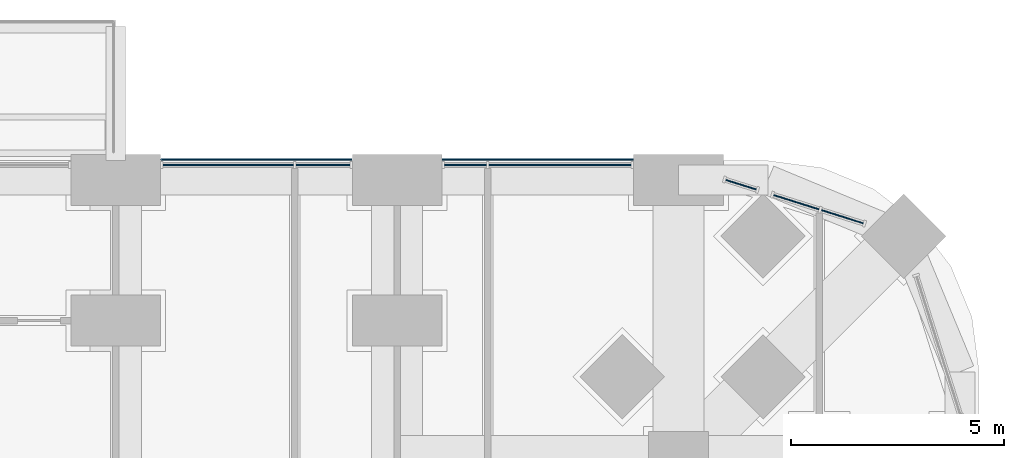
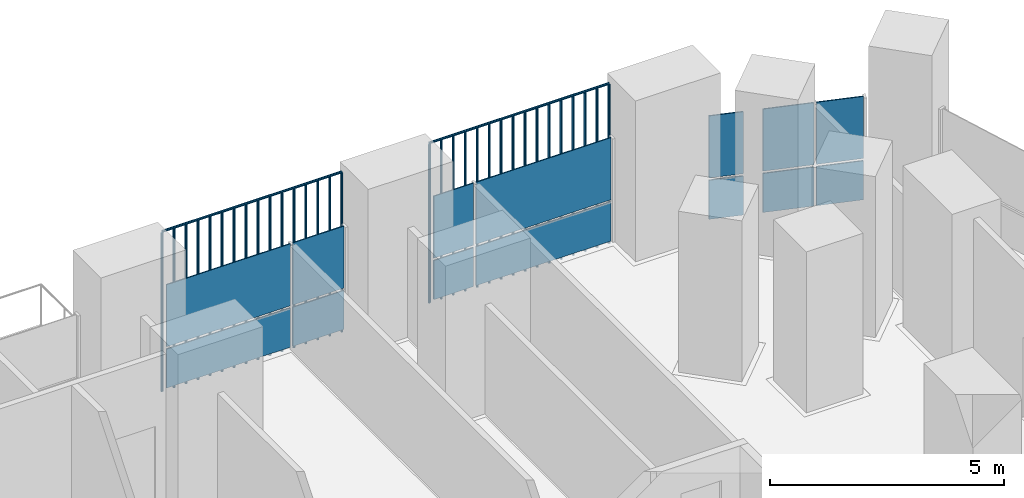
# One storey, part 16 of 26: 16 plates, 4 elements without a shape of their own.
"""IFC4 building model written with IfcOpenShell, lengths in metres."""

from ifc_helpers import new_model, si_unit, direction, frame, origin, origin_2d, place, context, subcontext, project, spatial, polyline, rectangle, outline, extrude, material, layer, layer_set, type_object, element, aggregate, save


model = new_model("IFC4")

# Units and contexts
model_context = context("Model", 3, precision=1e-05, world=origin(), true_north=direction((0.0, 1.0)))
body_context = subcontext(model_context, "Body", "Model", "MODEL_VIEW")
ifc_project = project(units=[si_unit("LENGTHUNIT", "METRE"), si_unit("AREAUNIT", "SQUARE_METRE"), si_unit("VOLUMEUNIT", "CUBIC_METRE"), si_unit("PLANEANGLEUNIT", "RADIAN"), si_unit("MASSUNIT", "GRAM", prefix="KILO")], contexts=[model_context])

# Site, building, storey
site_placement = place(None, origin())
site = spatial("IfcSite", under=ifc_project, at=site_placement, CompositionType="ELEMENT")
building_placement = place(site_placement, origin())
building = spatial("IfcBuilding", under=site, at=building_placement, Name="Cobogo Forest Laboratory Tower", CompositionType="ELEMENT")
storey_placement = place(building_placement, frame((0.0, 0.0, 33.89990234375)))
storey = spatial("IfcBuildingStorey", under=building, at=storey_placement, Name="L07", CompositionType="ELEMENT", Elevation=33.89990234375)

# Curtain wall, plates
ifc_material_1 = material(Name="Aluminium curtain wall", Category="aluminium")
curtain_wall_type = type_object("IfcCurtainWallType", Name="CW-1 unitised curtain wall, clear glazing, laboratory floors zones A and B", PredefinedType="USERDEFINED", material=ifc_material_1)
curtain_wall_1_placement = place(storey_placement, origin())
curtain_wall_1 = element("IfcCurtainWall", 1, at=curtain_wall_1_placement, inside=storey, type_object=curtain_wall_type, Name="Curtain wall 16 L07", ObjectType="UNITISED CURTAIN WALL", PredefinedType="USERDEFINED")
ifc_material_2 = material(Name="Clear insulated glass", Category="glass")
ifc_layer = layer(ifc_material_2, 0.028076171875)
ifc_layer_set = layer_set([ifc_layer], Name="GP-1 clear insulated glass unit 28")
plate_type_1 = type_object("IfcPlateType", Name="GP-1 clear insulated glass unit 28", PredefinedType="CURTAIN_PANEL", material=ifc_layer_set)
plate_1_placement = place(storey_placement, frame((50.042724609375, 45.33642578125, 0.0), z_axis=(0.0, 0.0, 1.0), x_axis=(-0.953581409645, 0.301135343623, 0.0)))
plate_1 = element("IfcPlate", 2, at=plate_1_placement, type_object=plate_type_1, Name="CW-1 panel 1.1", PredefinedType="CURTAIN_PANEL", context=body_context, shape_type="SweptSolid", body=[
    extrude(rectangle(XDim=1.027587890625, YDim=0.028076171875, at=origin_2d()), origin(), (0.0, 0.0, 1.0), 1.02001953125),
])
plate_2_placement = place(storey_placement, frame((50.042724609375, 45.33642578125, 1.080078125), z_axis=(0.0, 0.0, 1.0), x_axis=(-0.953581409645, 0.301135343623, 0.0)))
plate_2 = element("IfcPlate", 3, at=plate_2_placement, type_object=plate_type_1, Name="CW-1 panel 1.2", PredefinedType="CURTAIN_PANEL", context=body_context, shape_type="SweptSolid", body=[
    extrude(rectangle(XDim=1.027587890625, YDim=0.028076171875, at=origin_2d()), origin(), (0.0, 0.0, 1.0), 1.6201171875),
])
plate_3_placement = place(storey_placement, frame((48.963623046875, 45.67724609375, 0.0), z_axis=(0.0, 0.0, 1.0), x_axis=(-0.953581409645, 0.301135343623, 0.0)))
plate_3 = element("IfcPlate", 4, at=plate_3_placement, type_object=plate_type_1, Name="CW-1 panel 2.1", PredefinedType="CURTAIN_PANEL", context=body_context, shape_type="SweptSolid", body=[
    extrude(rectangle(XDim=1.11572265625, YDim=0.028076171875, at=origin_2d()), origin(), (0.0, 0.0, 1.0), 1.02001953125),
])
plate_4_placement = place(storey_placement, frame((48.963623046875, 45.67724609375, 1.080078125), z_axis=(0.0, 0.0, 1.0), x_axis=(-0.953581409645, 0.301135343623, 0.0)))
plate_4 = element("IfcPlate", 5, at=plate_4_placement, type_object=plate_type_1, Name="CW-1 panel 2.2", PredefinedType="CURTAIN_PANEL", context=body_context, shape_type="SweptSolid", body=[
    extrude(rectangle(XDim=1.11572265625, YDim=0.028076171875, at=origin_2d()), origin(), (0.0, 0.0, 1.0), 1.6201171875),
])
aggregate(curtain_wall_1, [plate_1, plate_2, plate_3, plate_4])

curtain_wall_2_placement = place(storey_placement, origin())
curtain_wall_2 = element("IfcCurtainWall", 6, at=curtain_wall_2_placement, inside=storey, type_object=curtain_wall_type, Name="Curtain wall 17 L07", ObjectType="UNITISED CURTAIN WALL", PredefinedType="USERDEFINED")
plate_5_placement = place(storey_placement, frame((47.666015625, 46.087158203125, 0.0), z_axis=(0.0, 0.0, 1.0), x_axis=(-0.953581504428, 0.301135043481, 0.0)))
plate_5 = element("IfcPlate", 7, at=plate_5_placement, type_object=plate_type_1, Name="CW-1 panel 1.1", PredefinedType="CURTAIN_PANEL", context=body_context, shape_type="SweptSolid", body=[
    extrude(rectangle(XDim=0.75244140625, YDim=0.028076171875, at=origin_2d()), origin(), (0.0, 0.0, 1.0), 1.02001953125),
])
plate_6_placement = place(storey_placement, frame((47.666015625, 46.087158203125, 1.080078125), z_axis=(0.0, 0.0, 1.0), x_axis=(-0.953581504428, 0.301135043481, 0.0)))
plate_6 = element("IfcPlate", 8, at=plate_6_placement, type_object=plate_type_1, Name="CW-1 panel 1.2", PredefinedType="CURTAIN_PANEL", context=body_context, shape_type="SweptSolid", body=[
    extrude(rectangle(XDim=0.75244140625, YDim=0.028076171875, at=origin_2d()), origin(), (0.0, 0.0, 1.0), 1.6201171875),
])
aggregate(curtain_wall_2, [plate_5, plate_6])

curtain_wall_3_placement = place(storey_placement, origin())
curtain_wall_3 = element("IfcCurtainWall", 9, at=curtain_wall_3_placement, inside=storey, type_object=curtain_wall_type, Name="Curtain wall 18 L07", ObjectType="UNITISED CURTAIN WALL", PredefinedType="USERDEFINED")
plate_7_placement = place(storey_placement, frame((43.422607421875, 46.550048828125, 0.0), z_axis=(0.0, 0.0, 1.0), x_axis=(-1.0, 0.0, 0.0)))
plate_7 = element("IfcPlate", 10, at=plate_7_placement, type_object=plate_type_1, Name="CW-1 panel 1.1", PredefinedType="CURTAIN_PANEL", context=body_context, shape_type="SweptSolid", body=[
    extrude(rectangle(XDim=3.3349609375, YDim=0.028076171875, at=origin_2d()), origin(), (0.0, 0.0, 1.0), 1.02001953125),
])
plate_8_placement = place(storey_placement, frame((43.422607421875, 46.550048828125, 1.080078125), z_axis=(0.0, 0.0, 1.0), x_axis=(-1.0, 0.0, 0.0)))
plate_8 = element("IfcPlate", 11, at=plate_8_placement, type_object=plate_type_1, Name="CW-1 panel 1.2", PredefinedType="CURTAIN_PANEL", context=body_context, shape_type="SweptSolid", body=[
    extrude(rectangle(XDim=3.3349609375, YDim=0.028076171875, at=origin_2d()), origin(), (0.0, 0.0, 1.0), 1.6201171875),
])
plate_9_placement = place(storey_placement, frame((41.202392578125, 46.550048828125, 0.0), z_axis=(0.0, 0.0, 1.0), x_axis=(-1.0, 0.0, 0.0)))
plate_9 = element("IfcPlate", 12, at=plate_9_placement, type_object=plate_type_1, Name="CW-1 panel 2.1", PredefinedType="CURTAIN_PANEL", context=body_context, shape_type="SweptSolid", body=[
    extrude(rectangle(XDim=0.985107421875, YDim=0.028076171875, at=origin_2d()), origin(), (0.0, 0.0, 1.0), 1.02001953125),
])
plate_10_placement = place(storey_placement, frame((41.202392578125, 46.550048828125, 1.080078125), z_axis=(0.0, 0.0, 1.0), x_axis=(-1.0, 0.0, 0.0)))
plate_10 = element("IfcPlate", 13, at=plate_10_placement, type_object=plate_type_1, Name="CW-1 panel 2.2", PredefinedType="CURTAIN_PANEL", context=body_context, shape_type="SweptSolid", body=[
    extrude(rectangle(XDim=0.985107421875, YDim=0.028076171875, at=origin_2d()), origin(), (0.0, 0.0, 1.0), 1.6201171875),
])
aggregate(curtain_wall_3, [plate_7, plate_8, plate_9, plate_10])

curtain_wall_4_placement = place(storey_placement, origin())
curtain_wall_4 = element("IfcCurtainWall", 14, at=curtain_wall_4_placement, inside=storey, type_object=curtain_wall_type, Name="Curtain wall 19 L07", ObjectType="UNITISED CURTAIN WALL", PredefinedType="USERDEFINED")
plate_11_placement = place(storey_placement, frame((37.860107421875, 46.550048828125, 0.0), z_axis=(0.0, 0.0, 1.0), x_axis=(-1.0, 0.0, 0.0)))
plate_11 = element("IfcPlate", 15, at=plate_11_placement, type_object=plate_type_1, Name="CW-1 panel 1.1", PredefinedType="CURTAIN_PANEL", context=body_context, shape_type="SweptSolid", body=[
    extrude(rectangle(XDim=1.260009765625, YDim=0.028076171875, at=origin_2d()), origin(), (0.0, 0.0, 1.0), 1.02001953125),
])
plate_12_placement = place(storey_placement, frame((37.860107421875, 46.550048828125, 1.080078125), z_axis=(0.0, 0.0, 1.0), x_axis=(-1.0, 0.0, 0.0)))
plate_12 = element("IfcPlate", 16, at=plate_12_placement, type_object=plate_type_1, Name="CW-1 panel 1.2", PredefinedType="CURTAIN_PANEL", context=body_context, shape_type="SweptSolid", body=[
    extrude(rectangle(XDim=1.260009765625, YDim=0.028076171875, at=origin_2d()), origin(), (0.0, 0.0, 1.0), 1.6201171875),
])
plate_13_placement = place(storey_placement, frame((35.639892578125, 46.550048828125, 0.0), z_axis=(0.0, 0.0, 1.0), x_axis=(-1.0, 0.0, 0.0)))
plate_13 = element("IfcPlate", 17, at=plate_13_placement, type_object=plate_type_1, Name="CW-1 panel 2.1", PredefinedType="CURTAIN_PANEL", context=body_context, shape_type="SweptSolid", body=[
    extrude(rectangle(XDim=3.06005859375, YDim=0.028076171875, at=origin_2d()), origin(), (0.0, 0.0, 1.0), 1.02001953125),
])
plate_14_placement = place(storey_placement, frame((35.639892578125, 46.550048828125, 1.080078125), z_axis=(0.0, 0.0, 1.0), x_axis=(-1.0, 0.0, 0.0)))
plate_14 = element("IfcPlate", 18, at=plate_14_placement, type_object=plate_type_1, Name="CW-1 panel 2.2", PredefinedType="CURTAIN_PANEL", context=body_context, shape_type="SweptSolid", body=[
    extrude(rectangle(XDim=3.06005859375, YDim=0.028076171875, at=origin_2d()), origin(), (0.0, 0.0, 1.0), 1.6201171875),
])
aggregate(curtain_wall_4, [plate_11, plate_12, plate_13, plate_14])

# Plates
ifc_material_3 = material(Name="Terracotta", Category="masonry")
plate_type_2 = type_object("IfcPlateType", Name="TB1 terracotta baguette screen", PredefinedType="USERDEFINED", material=ifc_material_3)
plate_15_placement = place(storey_placement, frame((34.081298828125, 46.677978515625, -0.14990234375)))
element("IfcPlate", 19, at=plate_15_placement, inside=storey, type_object=plate_type_2, Name="Baguette screen N5 L07", ObjectType="BAGUETTE SCREEN", PredefinedType="USERDEFINED", context=body_context, shape_type="SweptSolid", body=[
    extrude(outline(polyline([(0.02880859375, 0.011962890625), (0.011962890625, 0.02880859375), (-0.011962890625, 0.02880859375), (-0.02880859375, 0.011962890625), (-0.02880859375, -0.011962890625), (-0.011962890625, -0.02880859375), (0.011962890625, -0.02880859375), (0.02880859375, -0.011962890625), (0.02880859375, 0.011962890625)])), frame((0.0, 0.0, 4.168701171875), z_axis=(1.0, 0.0, 0.0), x_axis=(0.0, 1.0, 0.0)), (0.0, 0.0, 1.0), 4.4375),
    extrude(outline(polyline([(0.02880859375, 0.011962890625), (0.011962890625, 0.02880859375), (-0.011962890625, 0.02880859375), (-0.02880859375, 0.011962890625), (-0.02880859375, -0.011962890625), (-0.011962890625, -0.02880859375), (0.011962890625, -0.02880859375), (0.02880859375, -0.011962890625), (0.02880859375, 0.011962890625)])), origin(), (0.0, 0.0, 1.0), 4.137451171875),
    extrude(outline(polyline([(0.02880859375, 0.011962890625), (0.011962890625, 0.02880859375), (-0.011962890625, 0.02880859375), (-0.02880859375, 0.011962890625), (-0.02880859375, -0.011962890625), (-0.011962890625, -0.02880859375), (0.011962890625, -0.02880859375), (0.02880859375, -0.011962890625), (0.02880859375, 0.011962890625)])), frame((0.2958984375, 0.0, 0.0)), (0.0, 0.0, 1.0), 4.137451171875),
    extrude(outline(polyline([(0.02880859375, 0.011962890625), (0.011962890625, 0.02880859375), (-0.011962890625, 0.02880859375), (-0.02880859375, 0.011962890625), (-0.02880859375, -0.011962890625), (-0.011962890625, -0.02880859375), (0.011962890625, -0.02880859375), (0.02880859375, -0.011962890625), (0.02880859375, 0.011962890625)])), frame((0.591552734375, 0.0, 0.0)), (0.0, 0.0, 1.0), 4.137451171875),
    extrude(outline(polyline([(0.02880859375, 0.011962890625), (0.011962890625, 0.02880859375), (-0.011962890625, 0.02880859375), (-0.02880859375, 0.011962890625), (-0.02880859375, -0.011962890625), (-0.011962890625, -0.02880859375), (0.011962890625, -0.02880859375), (0.02880859375, -0.011962890625), (0.02880859375, 0.011962890625)])), frame((0.887451171875, 0.0, 0.0)), (0.0, 0.0, 1.0), 4.137451171875),
    extrude(outline(polyline([(0.02880859375, 0.011962890625), (0.011962890625, 0.02880859375), (-0.011962890625, 0.02880859375), (-0.02880859375, 0.011962890625), (-0.02880859375, -0.011962890625), (-0.011962890625, -0.02880859375), (0.011962890625, -0.02880859375), (0.02880859375, -0.011962890625), (0.02880859375, 0.011962890625)])), frame((1.183349609375, 0.0, 0.0)), (0.0, 0.0, 1.0), 4.137451171875),
    extrude(outline(polyline([(0.02880859375, 0.011962890625), (0.011962890625, 0.02880859375), (-0.011962890625, 0.02880859375), (-0.02880859375, 0.011962890625), (-0.02880859375, -0.011962890625), (-0.011962890625, -0.02880859375), (0.011962890625, -0.02880859375), (0.02880859375, -0.011962890625), (0.02880859375, 0.011962890625)])), frame((1.479248046875, 0.0, 0.0)), (0.0, 0.0, 1.0), 4.137451171875),
    extrude(outline(polyline([(0.02880859375, 0.011962890625), (0.011962890625, 0.02880859375), (-0.011962890625, 0.02880859375), (-0.02880859375, 0.011962890625), (-0.02880859375, -0.011962890625), (-0.011962890625, -0.02880859375), (0.011962890625, -0.02880859375), (0.02880859375, -0.011962890625), (0.02880859375, 0.011962890625)])), frame((1.77490234375, 0.0, 0.0)), (0.0, 0.0, 1.0), 4.137451171875),
    extrude(outline(polyline([(0.02880859375, 0.011962890625), (0.011962890625, 0.02880859375), (-0.011962890625, 0.02880859375), (-0.02880859375, 0.011962890625), (-0.02880859375, -0.011962890625), (-0.011962890625, -0.02880859375), (0.011962890625, -0.02880859375), (0.02880859375, -0.011962890625), (0.02880859375, 0.011962890625)])), frame((2.07080078125, 0.0, 0.0)), (0.0, 0.0, 1.0), 4.137451171875),
    extrude(outline(polyline([(0.02880859375, 0.011962890625), (0.011962890625, 0.02880859375), (-0.011962890625, 0.02880859375), (-0.02880859375, 0.011962890625), (-0.02880859375, -0.011962890625), (-0.011962890625, -0.02880859375), (0.011962890625, -0.02880859375), (0.02880859375, -0.011962890625), (0.02880859375, 0.011962890625)])), frame((2.36669921875, 0.0, 0.0)), (0.0, 0.0, 1.0), 4.137451171875),
    extrude(outline(polyline([(0.02880859375, 0.011962890625), (0.011962890625, 0.02880859375), (-0.011962890625, 0.02880859375), (-0.02880859375, 0.011962890625), (-0.02880859375, -0.011962890625), (-0.011962890625, -0.02880859375), (0.011962890625, -0.02880859375), (0.02880859375, -0.011962890625), (0.02880859375, 0.011962890625)])), frame((2.66259765625, 0.0, 0.0)), (0.0, 0.0, 1.0), 4.137451171875),
    extrude(outline(polyline([(0.02880859375, 0.011962890625), (0.011962890625, 0.02880859375), (-0.011962890625, 0.02880859375), (-0.02880859375, 0.011962890625), (-0.02880859375, -0.011962890625), (-0.011962890625, -0.02880859375), (0.011962890625, -0.02880859375), (0.02880859375, -0.011962890625), (0.02880859375, 0.011962890625)])), frame((2.958251953125, 0.0, 0.0)), (0.0, 0.0, 1.0), 4.137451171875),
    extrude(outline(polyline([(0.02880859375, 0.011962890625), (0.011962890625, 0.02880859375), (-0.011962890625, 0.02880859375), (-0.02880859375, 0.011962890625), (-0.02880859375, -0.011962890625), (-0.011962890625, -0.02880859375), (0.011962890625, -0.02880859375), (0.02880859375, -0.011962890625), (0.02880859375, 0.011962890625)])), frame((3.254150390625, 0.0, 0.0)), (0.0, 0.0, 1.0), 4.137451171875),
    extrude(outline(polyline([(0.02880859375, 0.011962890625), (0.011962890625, 0.02880859375), (-0.011962890625, 0.02880859375), (-0.02880859375, 0.011962890625), (-0.02880859375, -0.011962890625), (-0.011962890625, -0.02880859375), (0.011962890625, -0.02880859375), (0.02880859375, -0.011962890625), (0.02880859375, 0.011962890625)])), frame((3.550048828125, 0.0, 0.0)), (0.0, 0.0, 1.0), 4.137451171875),
    extrude(outline(polyline([(0.02880859375, 0.011962890625), (0.011962890625, 0.02880859375), (-0.011962890625, 0.02880859375), (-0.02880859375, 0.011962890625), (-0.02880859375, -0.011962890625), (-0.011962890625, -0.02880859375), (0.011962890625, -0.02880859375), (0.02880859375, -0.011962890625), (0.02880859375, 0.011962890625)])), frame((3.845947265625, 0.0, 0.0)), (0.0, 0.0, 1.0), 4.137451171875),
    extrude(outline(polyline([(0.02880859375, 0.011962890625), (0.011962890625, 0.02880859375), (-0.011962890625, 0.02880859375), (-0.02880859375, 0.011962890625), (-0.02880859375, -0.011962890625), (-0.011962890625, -0.02880859375), (0.011962890625, -0.02880859375), (0.02880859375, -0.011962890625), (0.02880859375, 0.011962890625)])), frame((4.1416015625, 0.0, 0.0)), (0.0, 0.0, 1.0), 4.137451171875),
    extrude(outline(polyline([(0.02880859375, 0.011962890625), (0.011962890625, 0.02880859375), (-0.011962890625, 0.02880859375), (-0.02880859375, 0.011962890625), (-0.02880859375, -0.011962890625), (-0.011962890625, -0.02880859375), (0.011962890625, -0.02880859375), (0.02880859375, -0.011962890625), (0.02880859375, 0.011962890625)])), frame((4.4375, 0.0, 0.0)), (0.0, 0.0, 1.0), 4.137451171875),
])
plate_16_placement = place(storey_placement, frame((40.68115234375, 46.677978515625, -0.14990234375)))
element("IfcPlate", 20, at=plate_16_placement, inside=storey, type_object=plate_type_2, Name="Baguette screen N6 L07", ObjectType="BAGUETTE SCREEN", PredefinedType="USERDEFINED", context=body_context, shape_type="SweptSolid", body=[
    extrude(outline(polyline([(0.02880859375, 0.011962890625), (0.011962890625, 0.02880859375), (-0.011962890625, 0.02880859375), (-0.02880859375, 0.011962890625), (-0.02880859375, -0.011962890625), (-0.011962890625, -0.02880859375), (0.011962890625, -0.02880859375), (0.02880859375, -0.011962890625), (0.02880859375, 0.011962890625)])), frame((0.0, 0.0, 4.168701171875), z_axis=(1.0, 0.0, 0.0), x_axis=(0.0, 1.0, 0.0)), (0.0, 0.0, 1.0), 4.4375),
    extrude(outline(polyline([(0.02880859375, 0.011962890625), (0.011962890625, 0.02880859375), (-0.011962890625, 0.02880859375), (-0.02880859375, 0.011962890625), (-0.02880859375, -0.011962890625), (-0.011962890625, -0.02880859375), (0.011962890625, -0.02880859375), (0.02880859375, -0.011962890625), (0.02880859375, 0.011962890625)])), origin(), (0.0, 0.0, 1.0), 4.137451171875),
    extrude(outline(polyline([(0.02880859375, 0.011962890625), (0.011962890625, 0.02880859375), (-0.011962890625, 0.02880859375), (-0.02880859375, 0.011962890625), (-0.02880859375, -0.011962890625), (-0.011962890625, -0.02880859375), (0.011962890625, -0.02880859375), (0.02880859375, -0.011962890625), (0.02880859375, 0.011962890625)])), frame((0.2958984375, 0.0, 0.0)), (0.0, 0.0, 1.0), 4.137451171875),
    extrude(outline(polyline([(0.02880859375, 0.011962890625), (0.011962890625, 0.02880859375), (-0.011962890625, 0.02880859375), (-0.02880859375, 0.011962890625), (-0.02880859375, -0.011962890625), (-0.011962890625, -0.02880859375), (0.011962890625, -0.02880859375), (0.02880859375, -0.011962890625), (0.02880859375, 0.011962890625)])), frame((0.591552734375, 0.0, 0.0)), (0.0, 0.0, 1.0), 4.137451171875),
    extrude(outline(polyline([(0.02880859375, 0.011962890625), (0.011962890625, 0.02880859375), (-0.011962890625, 0.02880859375), (-0.02880859375, 0.011962890625), (-0.02880859375, -0.011962890625), (-0.011962890625, -0.02880859375), (0.011962890625, -0.02880859375), (0.02880859375, -0.011962890625), (0.02880859375, 0.011962890625)])), frame((0.887451171875, 0.0, 0.0)), (0.0, 0.0, 1.0), 4.137451171875),
    extrude(outline(polyline([(0.02880859375, 0.011962890625), (0.011962890625, 0.02880859375), (-0.011962890625, 0.02880859375), (-0.02880859375, 0.011962890625), (-0.02880859375, -0.011962890625), (-0.011962890625, -0.02880859375), (0.011962890625, -0.02880859375), (0.02880859375, -0.011962890625), (0.02880859375, 0.011962890625)])), frame((1.183349609375, 0.0, 0.0)), (0.0, 0.0, 1.0), 4.137451171875),
    extrude(outline(polyline([(0.02880859375, 0.011962890625), (0.011962890625, 0.02880859375), (-0.011962890625, 0.02880859375), (-0.02880859375, 0.011962890625), (-0.02880859375, -0.011962890625), (-0.011962890625, -0.02880859375), (0.011962890625, -0.02880859375), (0.02880859375, -0.011962890625), (0.02880859375, 0.011962890625)])), frame((1.479248046875, 0.0, 0.0)), (0.0, 0.0, 1.0), 4.137451171875),
    extrude(outline(polyline([(0.02880859375, 0.011962890625), (0.011962890625, 0.02880859375), (-0.011962890625, 0.02880859375), (-0.02880859375, 0.011962890625), (-0.02880859375, -0.011962890625), (-0.011962890625, -0.02880859375), (0.011962890625, -0.02880859375), (0.02880859375, -0.011962890625), (0.02880859375, 0.011962890625)])), frame((1.77490234375, 0.0, 0.0)), (0.0, 0.0, 1.0), 4.137451171875),
    extrude(outline(polyline([(0.02880859375, 0.011962890625), (0.011962890625, 0.02880859375), (-0.011962890625, 0.02880859375), (-0.02880859375, 0.011962890625), (-0.02880859375, -0.011962890625), (-0.011962890625, -0.02880859375), (0.011962890625, -0.02880859375), (0.02880859375, -0.011962890625), (0.02880859375, 0.011962890625)])), frame((2.07080078125, 0.0, 0.0)), (0.0, 0.0, 1.0), 4.137451171875),
    extrude(outline(polyline([(0.02880859375, 0.011962890625), (0.011962890625, 0.02880859375), (-0.011962890625, 0.02880859375), (-0.02880859375, 0.011962890625), (-0.02880859375, -0.011962890625), (-0.011962890625, -0.02880859375), (0.011962890625, -0.02880859375), (0.02880859375, -0.011962890625), (0.02880859375, 0.011962890625)])), frame((2.36669921875, 0.0, 0.0)), (0.0, 0.0, 1.0), 4.137451171875),
    extrude(outline(polyline([(0.02880859375, 0.011962890625), (0.011962890625, 0.02880859375), (-0.011962890625, 0.02880859375), (-0.02880859375, 0.011962890625), (-0.02880859375, -0.011962890625), (-0.011962890625, -0.02880859375), (0.011962890625, -0.02880859375), (0.02880859375, -0.011962890625), (0.02880859375, 0.011962890625)])), frame((2.66259765625, 0.0, 0.0)), (0.0, 0.0, 1.0), 4.137451171875),
    extrude(outline(polyline([(0.02880859375, 0.011962890625), (0.011962890625, 0.02880859375), (-0.011962890625, 0.02880859375), (-0.02880859375, 0.011962890625), (-0.02880859375, -0.011962890625), (-0.011962890625, -0.02880859375), (0.011962890625, -0.02880859375), (0.02880859375, -0.011962890625), (0.02880859375, 0.011962890625)])), frame((2.958251953125, 0.0, 0.0)), (0.0, 0.0, 1.0), 4.137451171875),
    extrude(outline(polyline([(0.02880859375, 0.011962890625), (0.011962890625, 0.02880859375), (-0.011962890625, 0.02880859375), (-0.02880859375, 0.011962890625), (-0.02880859375, -0.011962890625), (-0.011962890625, -0.02880859375), (0.011962890625, -0.02880859375), (0.02880859375, -0.011962890625), (0.02880859375, 0.011962890625)])), frame((3.254150390625, 0.0, 0.0)), (0.0, 0.0, 1.0), 4.137451171875),
    extrude(outline(polyline([(0.02880859375, 0.011962890625), (0.011962890625, 0.02880859375), (-0.011962890625, 0.02880859375), (-0.02880859375, 0.011962890625), (-0.02880859375, -0.011962890625), (-0.011962890625, -0.02880859375), (0.011962890625, -0.02880859375), (0.02880859375, -0.011962890625), (0.02880859375, 0.011962890625)])), frame((3.550048828125, 0.0, 0.0)), (0.0, 0.0, 1.0), 4.137451171875),
    extrude(outline(polyline([(0.02880859375, 0.011962890625), (0.011962890625, 0.02880859375), (-0.011962890625, 0.02880859375), (-0.02880859375, 0.011962890625), (-0.02880859375, -0.011962890625), (-0.011962890625, -0.02880859375), (0.011962890625, -0.02880859375), (0.02880859375, -0.011962890625), (0.02880859375, 0.011962890625)])), frame((3.845947265625, 0.0, 0.0)), (0.0, 0.0, 1.0), 4.137451171875),
    extrude(outline(polyline([(0.02880859375, 0.011962890625), (0.011962890625, 0.02880859375), (-0.011962890625, 0.02880859375), (-0.02880859375, 0.011962890625), (-0.02880859375, -0.011962890625), (-0.011962890625, -0.02880859375), (0.011962890625, -0.02880859375), (0.02880859375, -0.011962890625), (0.02880859375, 0.011962890625)])), frame((4.1416015625, 0.0, 0.0)), (0.0, 0.0, 1.0), 4.137451171875),
    extrude(outline(polyline([(0.02880859375, 0.011962890625), (0.011962890625, 0.02880859375), (-0.011962890625, 0.02880859375), (-0.02880859375, 0.011962890625), (-0.02880859375, -0.011962890625), (-0.011962890625, -0.02880859375), (0.011962890625, -0.02880859375), (0.02880859375, -0.011962890625), (0.02880859375, 0.011962890625)])), frame((4.4375, 0.0, 0.0)), (0.0, 0.0, 1.0), 4.137451171875),
])

save(model, "model.ifc")
